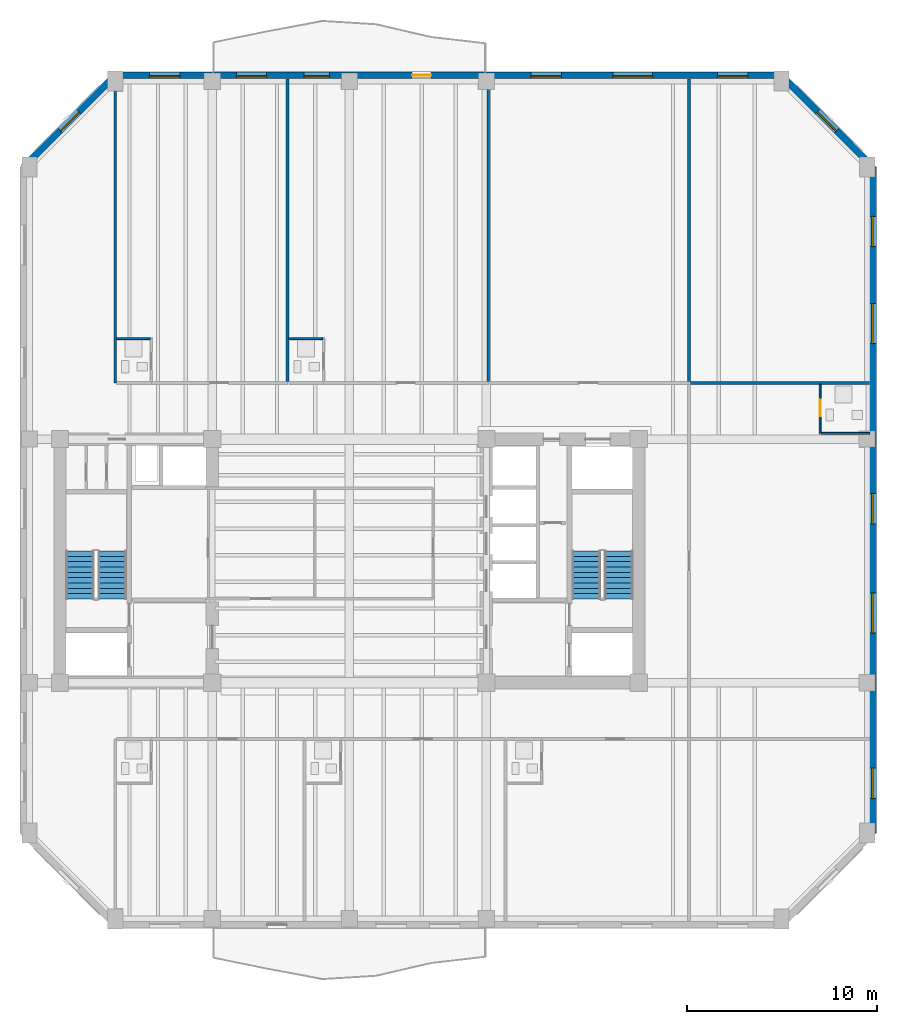
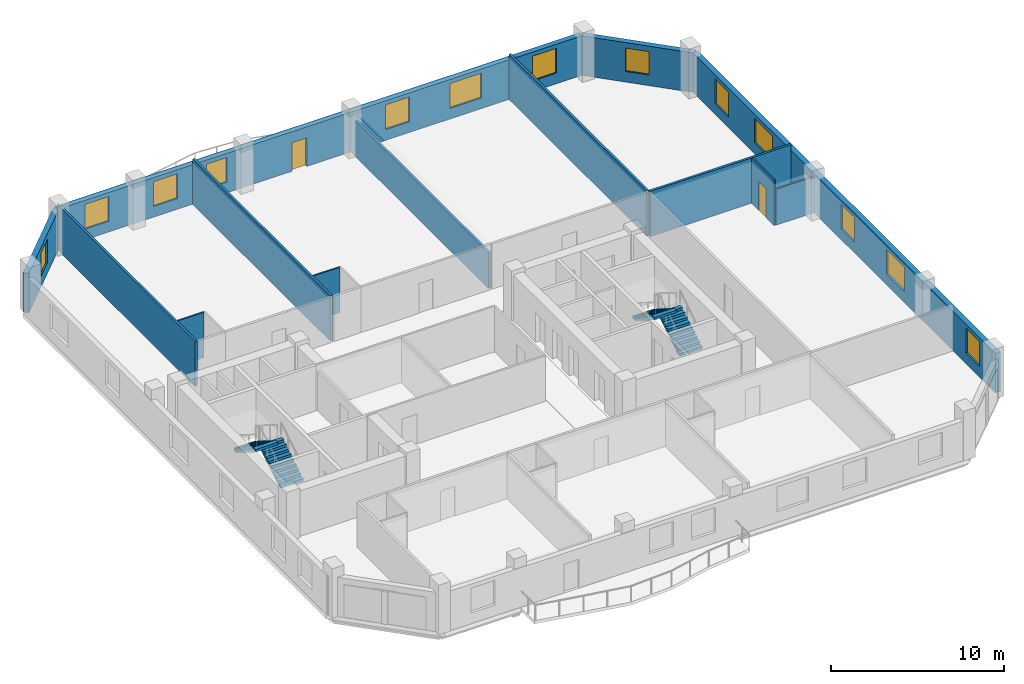
# One storey, part 5 of 9: 13 walls, 13 windows, 4 stair flights, 2 doors, 15 openings, 2 elements without a shape of their own.
"""IFC4 building model written with IfcOpenShell, lengths in metres."""

from ifc_helpers import new_model, si_unit, direction, frame, frame_2d, origin, place, context, subcontext, project, spatial, polyline, rectangle, outline, extrude, material, layer, layer_set, type_object, element, fill, aggregate, save


model = new_model("IFC4")

# Units and contexts
model_context = context("Model", 3, precision=1e-05, world=origin(), true_north=direction((0.0, 1.0)))
body_context = subcontext(model_context, "Body", "Model", "MODEL_VIEW")
ifc_project = project(units=[si_unit("LENGTHUNIT", "METRE"), si_unit("AREAUNIT", "SQUARE_METRE"), si_unit("VOLUMEUNIT", "CUBIC_METRE"), si_unit("PLANEANGLEUNIT", "RADIAN"), si_unit("MASSUNIT", "GRAM", prefix="KILO")], contexts=[model_context])

# Site, building, storey
site_placement = place(None, origin())
site = spatial("IfcSite", under=ifc_project, at=site_placement, CompositionType="ELEMENT")
building_placement = place(site_placement, origin())
building = spatial("IfcBuilding", under=site, at=building_placement, Name="Kranthara Brick Stack", CompositionType="ELEMENT")
storey_placement = place(building_placement, frame((0.0, 0.0, 169.300048828125)))
storey = spatial("IfcBuildingStorey", under=building, at=storey_placement, Name="L43", CompositionType="ELEMENT", Elevation=169.300048828125)

# Wall, opening, window
ifc_material_1 = material(Name="Kiln-fired clay brick masonry M15", Category="masonry")
ifc_layer_1 = layer(ifc_material_1, 0.35009765625)
ifc_layer_set_1 = layer_set([ifc_layer_1], Name="Kiln-fired clay brick masonry M15")
wall_type_1 = type_object("IfcWallType", Name="WL-BRK-SPND-350", PredefinedType="STANDARD", material=ifc_layer_set_1)
wall_1_placement = place(storey_placement, frame((10.89501953125, 47.89990234375, 0.0), z_axis=(0.0, 0.0, 1.0), x_axis=(0.707088817216, 0.7071247447, 0.0)))
wall_1 = element("IfcWall", 1, at=wall_1_placement, inside=storey, type_object=wall_type_1, Name="L43 Exterior Brick Facade Wall NW 1", PredefinedType="STANDARD", context=body_context, shape_type="SweptSolid", body=[
    extrude(rectangle(XDim=6.79541015625, YDim=0.35009765625, at=frame_2d((3.397705078125, 0.0))), origin(), (0.0, 0.0, 1.0), 2.784912109375),
])
opening_1_placement = place(wall_1_placement, frame((2.697998046875, 0.0, 0.75)))
opening_1 = element("IfcOpeningElement", 2, at=opening_1_placement, cuts=wall_1, Name="Opening WN10", PredefinedType="OPENING", context=body_context, shape_type="SweptSolid", body=[
    extrude(rectangle(XDim=1.39990234375, YDim=1.64990234375, at=frame_2d((0.699951171875, 0.824951171875))), frame((0.0, 0.18505859375, 0.0), z_axis=(0.0, -1.0, 0.0), x_axis=(1.0, 0.0, 0.0)), (0.0, 0.0, 1.0), 0.3701171875),
])
ifc_material_2 = material(Name="Double-glazed low-E solar control glass", Category="glass")
window_type_1 = type_object("IfcWindowType", Name="WN-CHM-1400x1750", PartitioningType="SINGLE_PANEL", PredefinedType="WINDOW", material=ifc_material_2)
window_1_placement = place(opening_1_placement, origin())
window_1 = element("IfcWindow", 3, at=window_1_placement, inside=storey, type_object=window_type_1, Name="L43 NW Chamfer Corner Window", OverallHeight=1.64990234375, OverallWidth=1.39990234375, PartitioningType="SINGLE_PANEL", PredefinedType="WINDOW", context=body_context, shape_type="SweptSolid", body=[
    extrude(rectangle(XDim=1.39990234375, YDim=1.64990234375, at=frame_2d((0.699951171875, 0.824951171875))), frame((0.0, -0.010009765625, 0.0), z_axis=(0.0, -1.0, 0.0), x_axis=(1.0, 0.0, 0.0)), (0.0, 0.0, 1.0), 0.06005859375),
])
fill(opening_1, window_1)

# Wall, openings, door, windows
wall_2_placement = place(storey_placement, frame((15.699951171875, 52.705078125, 0.0), z_axis=(0.0, 0.0, 1.0), x_axis=(1.0, 0.0, 0.0)))
wall_2 = element("IfcWall", 4, at=wall_2_placement, inside=storey, type_object=wall_type_1, Name="L43 Exterior Brick Facade Wall NORTH 1", PredefinedType="STANDARD", context=body_context, shape_type="SweptSolid", body=[
    extrude(rectangle(XDim=35.0, YDim=0.35009765625, at=frame_2d((17.5, 0.0))), origin(), (0.0, 0.0, 1.0), 2.784912109375),
])
opening_2_placement = place(wall_2_placement, frame((15.60009765625, 0.0, 0.0)))
opening_2 = element("IfcOpeningElement", 5, at=opening_2_placement, cuts=wall_2, Name="Opening D03", PredefinedType="OPENING", context=body_context, shape_type="SweptSolid", body=[
    extrude(rectangle(XDim=1.0, YDim=2.02001953125, at=frame_2d((0.5, 1.010009765625))), frame((0.0, 0.18505859375, 0.0), z_axis=(0.0, -1.0, 0.0), x_axis=(1.0, 0.0, 0.0)), (0.0, 0.0, 1.0), 0.3701171875),
])
opening_3_placement = place(wall_2_placement, frame((1.800048828125, 0.0, 0.75)))
opening_3 = element("IfcOpeningElement", 6, at=opening_3_placement, cuts=wall_2, Name="Opening WN04", PredefinedType="OPENING", context=body_context, shape_type="SweptSolid", body=[
    extrude(rectangle(XDim=1.60009765625, YDim=1.75, at=frame_2d((0.800048828125, 0.875))), frame((0.0, 0.18505859375, 0.0), z_axis=(0.0, -1.0, 0.0), x_axis=(1.0, 0.0, 0.0)), (0.0, 0.0, 1.0), 0.3701171875),
])
opening_4_placement = place(wall_2_placement, frame((6.360107421875, 0.0, 0.75)))
opening_4 = element("IfcOpeningElement", 7, at=opening_4_placement, cuts=wall_2, Name="Opening WN04", PredefinedType="OPENING", context=body_context, shape_type="SweptSolid", body=[
    extrude(rectangle(XDim=1.60009765625, YDim=1.75, at=frame_2d((0.800048828125, 0.875))), frame((0.0, 0.18505859375, 0.0), z_axis=(0.0, -1.0, 0.0), x_axis=(1.0, 0.0, 0.0)), (0.0, 0.0, 1.0), 0.3701171875),
])
opening_5_placement = place(wall_2_placement, frame((9.909912109375, 0.0, 0.75)))
opening_5 = element("IfcOpeningElement", 8, at=opening_5_placement, cuts=wall_2, Name="Opening WN06", PredefinedType="OPENING", context=body_context, shape_type="SweptSolid", body=[
    extrude(rectangle(XDim=1.35009765625, YDim=1.75, at=frame_2d((0.675048828125, 0.875))), frame((0.0, 0.18505859375, 0.0), z_axis=(0.0, -1.0, 0.0), x_axis=(1.0, 0.0, 0.0)), (0.0, 0.0, 1.0), 0.3701171875),
])
opening_6_placement = place(wall_2_placement, frame((21.839111328125, 0.0, 0.75)))
opening_6 = element("IfcOpeningElement", 9, at=opening_6_placement, cuts=wall_2, Name="Opening WN04", PredefinedType="OPENING", context=body_context, shape_type="SweptSolid", body=[
    extrude(rectangle(XDim=1.60009765625, YDim=1.75, at=frame_2d((0.800048828125, 0.875))), frame((0.0, 0.18505859375, 0.0), z_axis=(0.0, -1.0, 0.0), x_axis=(1.0, 0.0, 0.0)), (0.0, 0.0, 1.0), 0.3701171875),
])
opening_7_placement = place(wall_2_placement, frame((26.136962890625, 0.0, 0.75)))
opening_7 = element("IfcOpeningElement", 10, at=opening_7_placement, cuts=wall_2, Name="Opening WN05", PredefinedType="OPENING", context=body_context, shape_type="SweptSolid", body=[
    extrude(rectangle(XDim=2.10009765625, YDim=1.75, at=frame_2d((1.050048828125, 0.875))), frame((0.0, 0.18505859375, 0.0), z_axis=(0.0, -1.0, 0.0), x_axis=(1.0, 0.0, 0.0)), (0.0, 0.0, 1.0), 0.3701171875),
])
opening_8_placement = place(wall_2_placement, frame((31.636962890625, 0.0, 0.75)))
opening_8 = element("IfcOpeningElement", 11, at=opening_8_placement, cuts=wall_2, Name="Opening WN04", PredefinedType="OPENING", context=body_context, shape_type="SweptSolid", body=[
    extrude(rectangle(XDim=1.60009765625, YDim=1.75, at=frame_2d((0.800048828125, 0.875))), frame((0.0, 0.18505859375, 0.0), z_axis=(0.0, -1.0, 0.0), x_axis=(1.0, 0.0, 0.0)), (0.0, 0.0, 1.0), 0.3701171875),
])
ifc_material_3 = material(Name="Bronze anodised aluminium and laminated glass", Category="aluminium")
door_type_1 = type_object("IfcDoorType", Name="DR-BALC-1000", OperationType="NOTDEFINED", PredefinedType="DOOR", material=ifc_material_3)
door_1_placement = place(opening_2_placement, origin())
door_1 = element("IfcDoor", 12, at=door_1_placement, inside=storey, type_object=door_type_1, Name="L43 North Balcony Terrace Door", OperationType="SINGLE_SWING_RIGHT", OverallHeight=2.02001953125, OverallWidth=1.0, PredefinedType="DOOR", context=body_context, shape_type="SweptSolid", body=[
    extrude(rectangle(XDim=1.0, YDim=2.02001953125, at=frame_2d((0.5, 1.010009765625))), frame((0.0, 0.02490234375, 0.0), z_axis=(0.0, -1.0, 0.0), x_axis=(1.0, 0.0, 0.0)), (0.0, 0.0, 1.0), 0.050048828125),
])
fill(opening_2, door_1)
ifc_material_4 = material(Name="Double-glazed low-E solar control glass", Category="glass")
window_type_2 = type_object("IfcWindowType", Name="WN-HTL-1350x1850", PartitioningType="SINGLE_PANEL", PredefinedType="WINDOW", material=ifc_material_4)
window_2_placement = place(opening_5_placement, origin())
window_2 = element("IfcWindow", 13, at=window_2_placement, inside=storey, type_object=window_type_2, Name="L43 North Deep-Set Brick Window 03", OverallHeight=1.75, OverallWidth=1.35009765625, PartitioningType="SINGLE_PANEL", PredefinedType="WINDOW", context=body_context, shape_type="SweptSolid", body=[
    extrude(rectangle(XDim=1.35009765625, YDim=1.75, at=frame_2d((0.675048828125, 0.875))), frame((0.0, -0.010009765625, 0.0), z_axis=(0.0, -1.0, 0.0), x_axis=(1.0, 0.0, 0.0)), (0.0, 0.0, 1.0), 0.06005859375),
])
fill(opening_5, window_2)
ifc_material_5 = material(Name="Double-glazed low-E solar control glass", Category="glass")
window_type_3 = type_object("IfcWindowType", Name="WN-HTL-1600x1850", PartitioningType="DOUBLE_PANEL_VERTICAL", PredefinedType="WINDOW", material=ifc_material_5)
window_3_placement = place(opening_3_placement, origin())
window_3 = element("IfcWindow", 14, at=window_3_placement, inside=storey, type_object=window_type_3, Name="L43 North Deep-Set Brick Window 01", OverallHeight=1.75, OverallWidth=1.60009765625, PartitioningType="SINGLE_PANEL", PredefinedType="WINDOW", context=body_context, shape_type="SweptSolid", body=[
    extrude(rectangle(XDim=1.60009765625, YDim=1.75, at=frame_2d((0.800048828125, 0.875))), frame((0.0, -0.010009765625, 0.0), z_axis=(0.0, -1.0, 0.0), x_axis=(1.0, 0.0, 0.0)), (0.0, 0.0, 1.0), 0.06005859375),
])
fill(opening_3, window_3)
window_4_placement = place(opening_4_placement, origin())
window_4 = element("IfcWindow", 15, at=window_4_placement, inside=storey, type_object=window_type_3, Name="L43 North Deep-Set Brick Window 02", OverallHeight=1.75, OverallWidth=1.60009765625, PartitioningType="SINGLE_PANEL", PredefinedType="WINDOW", context=body_context, shape_type="SweptSolid", body=[
    extrude(rectangle(XDim=1.60009765625, YDim=1.75, at=frame_2d((0.800048828125, 0.875))), frame((0.0, -0.010009765625, 0.0), z_axis=(0.0, -1.0, 0.0), x_axis=(1.0, 0.0, 0.0)), (0.0, 0.0, 1.0), 0.06005859375),
])
fill(opening_4, window_4)
window_5_placement = place(opening_6_placement, origin())
window_5 = element("IfcWindow", 16, at=window_5_placement, inside=storey, type_object=window_type_3, Name="L43 North Deep-Set Brick Window 04", OverallHeight=1.75, OverallWidth=1.60009765625, PartitioningType="SINGLE_PANEL", PredefinedType="WINDOW", context=body_context, shape_type="SweptSolid", body=[
    extrude(rectangle(XDim=1.60009765625, YDim=1.75, at=frame_2d((0.800048828125, 0.875))), frame((0.0, -0.010009765625, 0.0), z_axis=(0.0, -1.0, 0.0), x_axis=(1.0, 0.0, 0.0)), (0.0, 0.0, 1.0), 0.06005859375),
])
fill(opening_6, window_5)
window_6_placement = place(opening_8_placement, origin())
window_6 = element("IfcWindow", 17, at=window_6_placement, inside=storey, type_object=window_type_3, Name="L43 North Deep-Set Brick Window 06", OverallHeight=1.75, OverallWidth=1.60009765625, PartitioningType="SINGLE_PANEL", PredefinedType="WINDOW", context=body_context, shape_type="SweptSolid", body=[
    extrude(rectangle(XDim=1.60009765625, YDim=1.75, at=frame_2d((0.800048828125, 0.875))), frame((0.0, -0.010009765625, 0.0), z_axis=(0.0, -1.0, 0.0), x_axis=(1.0, 0.0, 0.0)), (0.0, 0.0, 1.0), 0.06005859375),
])
fill(opening_8, window_6)
ifc_material_6 = material(Name="Double-glazed low-E solar control glass", Category="glass")
window_type_4 = type_object("IfcWindowType", Name="WN-HTL-2100x1850", PartitioningType="DOUBLE_PANEL_VERTICAL", PredefinedType="WINDOW", material=ifc_material_6)
window_7_placement = place(opening_7_placement, origin())
window_7 = element("IfcWindow", 18, at=window_7_placement, inside=storey, type_object=window_type_4, Name="L43 North Deep-Set Brick Window 05", OverallHeight=1.75, OverallWidth=2.10009765625, PartitioningType="SINGLE_PANEL", PredefinedType="WINDOW", context=body_context, shape_type="SweptSolid", body=[
    extrude(rectangle(XDim=2.10009765625, YDim=1.75, at=frame_2d((1.050048828125, 0.875))), frame((0.0, -0.010009765625, 0.0), z_axis=(0.0, -1.0, 0.0), x_axis=(1.0, 0.0, 0.0)), (0.0, 0.0, 1.0), 0.06005859375),
])
fill(opening_7, window_7)

# Wall, opening, window
wall_3_placement = place(storey_placement, frame((50.699951171875, 52.705078125, 0.0), z_axis=(0.0, 0.0, 1.0), x_axis=(0.707088817216, -0.7071247447, 0.0)))
wall_3 = element("IfcWall", 19, at=wall_3_placement, inside=storey, type_object=wall_type_1, Name="L43 Exterior Brick Facade Wall NE 1", PredefinedType="STANDARD", context=body_context, shape_type="SweptSolid", body=[
    extrude(rectangle(XDim=6.79541015625, YDim=0.35009765625, at=frame_2d((3.397705078125, 0.0))), origin(), (0.0, 0.0, 1.0), 2.784912109375),
])
opening_9_placement = place(wall_3_placement, frame((2.697998046875, 0.0, 0.75)))
opening_9 = element("IfcOpeningElement", 20, at=opening_9_placement, cuts=wall_3, Name="Opening WN10", PredefinedType="OPENING", context=body_context, shape_type="SweptSolid", body=[
    extrude(rectangle(XDim=1.39990234375, YDim=1.64990234375, at=frame_2d((0.699951171875, 0.824951171875))), frame((0.0, 0.18505859375, 0.0), z_axis=(0.0, -1.0, 0.0), x_axis=(1.0, 0.0, 0.0)), (0.0, 0.0, 1.0), 0.3701171875),
])
window_8_placement = place(opening_9_placement, origin())
window_8 = element("IfcWindow", 21, at=window_8_placement, inside=storey, type_object=window_type_1, Name="L43 NE Chamfer Corner Window", OverallHeight=1.64990234375, OverallWidth=1.39990234375, PartitioningType="SINGLE_PANEL", PredefinedType="WINDOW", context=body_context, shape_type="SweptSolid", body=[
    extrude(rectangle(XDim=1.39990234375, YDim=1.64990234375, at=frame_2d((0.699951171875, 0.824951171875))), frame((0.0, -0.010009765625, 0.0), z_axis=(0.0, -1.0, 0.0), x_axis=(1.0, 0.0, 0.0)), (0.0, 0.0, 1.0), 0.06005859375),
])
fill(opening_9, window_8)

# Wall, openings, windows
wall_4_placement = place(storey_placement, frame((55.5048828125, 47.89990234375, 0.0), z_axis=(0.0, 0.0, 1.0), x_axis=(0.0, -1.0, 0.0)))
wall_4 = element("IfcWall", 22, at=wall_4_placement, inside=storey, type_object=wall_type_1, Name="L43 Exterior Brick Facade Wall EAST 1", PredefinedType="STANDARD", context=body_context, shape_type="SweptSolid", body=[
    extrude(rectangle(XDim=35.0, YDim=0.35009765625, at=frame_2d((17.5, 0.0))), origin(), (0.0, 0.0, 1.0), 2.784912109375),
])
opening_10_placement = place(wall_4_placement, frame((2.594970703125, 0.0, 0.75)))
opening_10 = element("IfcOpeningElement", 23, at=opening_10_placement, cuts=wall_4, Name="Opening WN04", PredefinedType="OPENING", context=body_context, shape_type="SweptSolid", body=[
    extrude(rectangle(XDim=1.60009765625, YDim=1.75, at=frame_2d((0.800048828125, 0.875))), frame((0.0, 0.18505859375, 0.0), z_axis=(0.0, -1.0, 0.0), x_axis=(1.0, 0.0, 0.0)), (0.0, 0.0, 1.0), 0.3701171875),
])
opening_11_placement = place(wall_4_placement, frame((7.180908203125, 0.0, 0.75)))
opening_11 = element("IfcOpeningElement", 24, at=opening_11_placement, cuts=wall_4, Name="Opening WN05", PredefinedType="OPENING", context=body_context, shape_type="SweptSolid", body=[
    extrude(rectangle(XDim=2.10009765625, YDim=1.75, at=frame_2d((1.050048828125, 0.875))), frame((0.0, 0.18505859375, 0.0), z_axis=(0.0, -1.0, 0.0), x_axis=(1.0, 0.0, 0.0)), (0.0, 0.0, 1.0), 0.3701171875),
])
opening_12_placement = place(wall_4_placement, frame((17.152099609375, 0.0, 0.75)))
opening_12 = element("IfcOpeningElement", 25, at=opening_12_placement, cuts=wall_4, Name="Opening WN04", PredefinedType="OPENING", context=body_context, shape_type="SweptSolid", body=[
    extrude(rectangle(XDim=1.60009765625, YDim=1.75, at=frame_2d((0.800048828125, 0.875))), frame((0.0, 0.18505859375, 0.0), z_axis=(0.0, -1.0, 0.0), x_axis=(1.0, 0.0, 0.0)), (0.0, 0.0, 1.0), 0.3701171875),
])
opening_13_placement = place(wall_4_placement, frame((22.39794921875, 0.0, 0.75)))
opening_13 = element("IfcOpeningElement", 26, at=opening_13_placement, cuts=wall_4, Name="Opening WN05", PredefinedType="OPENING", context=body_context, shape_type="SweptSolid", body=[
    extrude(rectangle(XDim=2.10009765625, YDim=1.75, at=frame_2d((1.050048828125, 0.875))), frame((0.0, 0.18505859375, 0.0), z_axis=(0.0, -1.0, 0.0), x_axis=(1.0, 0.0, 0.0)), (0.0, 0.0, 1.0), 0.3701171875),
])
opening_14_placement = place(wall_4_placement, frame((31.587890625, 0.0, 0.75)))
opening_14 = element("IfcOpeningElement", 27, at=opening_14_placement, cuts=wall_4, Name="Opening WN04", PredefinedType="OPENING", context=body_context, shape_type="SweptSolid", body=[
    extrude(rectangle(XDim=1.60009765625, YDim=1.75, at=frame_2d((0.800048828125, 0.875))), frame((0.0, 0.18505859375, 0.0), z_axis=(0.0, -1.0, 0.0), x_axis=(1.0, 0.0, 0.0)), (0.0, 0.0, 1.0), 0.3701171875),
])
window_9_placement = place(opening_10_placement, origin())
window_9 = element("IfcWindow", 28, at=window_9_placement, inside=storey, type_object=window_type_3, Name="L43 East Deep-Set Brick Window 01", OverallHeight=1.75, OverallWidth=1.60009765625, PartitioningType="SINGLE_PANEL", PredefinedType="WINDOW", context=body_context, shape_type="SweptSolid", body=[
    extrude(rectangle(XDim=1.60009765625, YDim=1.75, at=frame_2d((0.800048828125, 0.875))), frame((0.0, -0.010009765625, 0.0), z_axis=(0.0, -1.0, 0.0), x_axis=(1.0, 0.0, 0.0)), (0.0, 0.0, 1.0), 0.06005859375),
])
fill(opening_10, window_9)
window_10_placement = place(opening_12_placement, origin())
window_10 = element("IfcWindow", 29, at=window_10_placement, inside=storey, type_object=window_type_3, Name="L43 East Deep-Set Brick Window 03", OverallHeight=1.75, OverallWidth=1.60009765625, PartitioningType="SINGLE_PANEL", PredefinedType="WINDOW", context=body_context, shape_type="SweptSolid", body=[
    extrude(rectangle(XDim=1.60009765625, YDim=1.75, at=frame_2d((0.800048828125, 0.875))), frame((0.0, -0.010009765625, 0.0), z_axis=(0.0, -1.0, 0.0), x_axis=(1.0, 0.0, 0.0)), (0.0, 0.0, 1.0), 0.06005859375),
])
fill(opening_12, window_10)
window_11_placement = place(opening_14_placement, origin())
window_11 = element("IfcWindow", 30, at=window_11_placement, inside=storey, type_object=window_type_3, Name="L43 East Deep-Set Brick Window 05", OverallHeight=1.75, OverallWidth=1.60009765625, PartitioningType="SINGLE_PANEL", PredefinedType="WINDOW", context=body_context, shape_type="SweptSolid", body=[
    extrude(rectangle(XDim=1.60009765625, YDim=1.75, at=frame_2d((0.800048828125, 0.875))), frame((0.0, -0.010009765625, 0.0), z_axis=(0.0, -1.0, 0.0), x_axis=(1.0, 0.0, 0.0)), (0.0, 0.0, 1.0), 0.06005859375),
])
fill(opening_14, window_11)
window_12_placement = place(opening_11_placement, origin())
window_12 = element("IfcWindow", 31, at=window_12_placement, inside=storey, type_object=window_type_4, Name="L43 East Deep-Set Brick Window 02", OverallHeight=1.75, OverallWidth=2.10009765625, PartitioningType="SINGLE_PANEL", PredefinedType="WINDOW", context=body_context, shape_type="SweptSolid", body=[
    extrude(rectangle(XDim=2.10009765625, YDim=1.75, at=frame_2d((1.050048828125, 0.875))), frame((0.0, -0.010009765625, 0.0), z_axis=(0.0, -1.0, 0.0), x_axis=(1.0, 0.0, 0.0)), (0.0, 0.0, 1.0), 0.06005859375),
])
fill(opening_11, window_12)
window_13_placement = place(opening_13_placement, origin())
window_13 = element("IfcWindow", 32, at=window_13_placement, inside=storey, type_object=window_type_4, Name="L43 East Deep-Set Brick Window 04", OverallHeight=1.75, OverallWidth=2.10009765625, PartitioningType="SINGLE_PANEL", PredefinedType="WINDOW", context=body_context, shape_type="SweptSolid", body=[
    extrude(rectangle(XDim=2.10009765625, YDim=1.75, at=frame_2d((1.050048828125, 0.875))), frame((0.0, -0.010009765625, 0.0), z_axis=(0.0, -1.0, 0.0), x_axis=(1.0, 0.0, 0.0)), (0.0, 0.0, 1.0), 0.06005859375),
])
fill(opening_13, window_13)

# Walls
ifc_material_7 = material(Name="Moisture-resistant wet-room partition", Category="other")
ifc_layer_2 = layer(ifc_material_7, 0.10009765625)
ifc_layer_set_2 = layer_set([ifc_layer_2], Name="Moisture-resistant wet-room partition")
wall_type_2 = type_object("IfcWallType", Name="WL-PART-100", PredefinedType="PARTITIONING", material=ifc_layer_set_2)
wall_5_placement = place(storey_placement, frame((15.780029296875, 38.8798828125, 0.0), z_axis=(0.0, 0.0, 1.0), x_axis=(1.0, 0.0, 0.0)))
element("IfcWall", 33, at=wall_5_placement, inside=storey, type_object=wall_type_2, Name="L43 Interior Partition 029", PredefinedType="PARTITIONING", context=body_context, shape_type="SweptSolid", body=[
    extrude(rectangle(XDim=1.764892578125, YDim=0.10009765625, at=frame_2d((0.88232421875, 0.0))), origin(), (0.0, 0.0, 1.0), 3.199951171875),
])
wall_6_placement = place(storey_placement, frame((24.824951171875, 38.8798828125, 0.0), z_axis=(0.0, 0.0, 1.0), x_axis=(1.0, 0.0, 0.0)))
element("IfcWall", 34, at=wall_6_placement, inside=storey, type_object=wall_type_2, Name="L43 Interior Partition 034", PredefinedType="PARTITIONING", context=body_context, shape_type="SweptSolid", body=[
    extrude(rectangle(XDim=1.76513671875, YDim=0.10009765625, at=frame_2d((0.882568359375, 0.0))), origin(), (0.0, 0.0, 1.0), 3.199951171875),
])

# Wall, opening, door
wall_7_placement = place(storey_placement, frame((52.72998046875, 33.89990234375, 0.0), z_axis=(0.0, 0.0, 1.0), x_axis=(0.0, 1.0, 0.0)))
wall_7 = element("IfcWall", 35, at=wall_7_placement, inside=storey, type_object=wall_type_2, Name="L43 Interior Partition 041", PredefinedType="PARTITIONING", context=body_context, shape_type="SweptSolid", body=[
    extrude(rectangle(XDim=2.570068359375, YDim=0.10009765625, at=frame_2d((1.28515625, 0.0))), origin(), (0.0, 0.0, 1.0), 3.199951171875),
])
opening_15_placement = place(wall_7_placement, frame((0.905029296875, 0.0, 0.0)))
opening_15 = element("IfcOpeningElement", 36, at=opening_15_placement, cuts=wall_7, Name="Opening D17", PredefinedType="OPENING", context=body_context, shape_type="SweptSolid", body=[
    extrude(rectangle(XDim=0.85009765625, YDim=2.050048828125, at=frame_2d((0.425048828125, 1.02490234375))), frame((0.0, 0.06005859375, 0.0), z_axis=(0.0, -1.0, 0.0), x_axis=(1.0, 0.0, 0.0)), (0.0, 0.0, 1.0), 0.1201171875),
])
ifc_material_8 = material(Name="Solid-core hardwood timber leaf in steel frame", Category="steel")
door_type_2 = type_object("IfcDoorType", Name="DR-WET-850", OperationType="NOTDEFINED", PredefinedType="DOOR", material=ifc_material_8)
door_2_placement = place(opening_15_placement, origin())
door_2 = element("IfcDoor", 37, at=door_2_placement, inside=storey, type_object=door_type_2, Name="L43 East Key 7 Bath 18", OperationType="SINGLE_SWING_RIGHT", OverallHeight=2.050048828125, OverallWidth=0.85009765625, PredefinedType="DOOR", context=body_context, shape_type="SweptSolid", body=[
    extrude(rectangle(XDim=0.85009765625, YDim=2.050048828125, at=frame_2d((0.425048828125, 1.02490234375))), frame((0.0, 0.02490234375, 0.0), z_axis=(0.0, -1.0, 0.0), x_axis=(1.0, 0.0, 0.0)), (0.0, 0.0, 1.0), 0.050048828125),
])
fill(opening_15, door_2)

# Walls
wall_8_placement = place(storey_placement, frame((52.784912109375, 33.89990234375, 0.0), z_axis=(0.0, 0.0, 1.0), x_axis=(1.0, 0.0, 0.0)))
element("IfcWall", 38, at=wall_8_placement, inside=storey, type_object=wall_type_2, Name="L43 Interior Partition 042", PredefinedType="PARTITIONING", context=body_context, shape_type="SweptSolid", body=[
    extrude(rectangle(XDim=2.5400390625, YDim=0.10009765625, at=frame_2d((1.27001953125, 0.0))), origin(), (0.0, 0.0, 1.0), 2.534912109375),
])
ifc_material_9 = material(Name="Fire-rated gypsum board partition", Category="other")
ifc_layer_3 = layer(ifc_material_9, 0.14990234375)
ifc_layer_set_3 = layer_set([ifc_layer_3], Name="Fire-rated gypsum board partition")
wall_type_3 = type_object("IfcWallType", Name="WL-PART-150", PredefinedType="PARTITIONING", material=ifc_layer_set_3)
wall_9_placement = place(storey_placement, frame((15.699951171875, 36.550048828125, 0.0), z_axis=(0.0, 0.0, 1.0), x_axis=(0.0, 1.0, 0.0)))
element("IfcWall", 39, at=wall_9_placement, inside=storey, type_object=wall_type_3, Name="L43 Interior Partition 025", PredefinedType="PARTITIONING", context=body_context, shape_type="SweptSolid", body=[
    extrude(rectangle(XDim=15.974853515625, YDim=0.14990234375, at=frame_2d((7.9873046875, 0.0))), origin(), (0.0, 0.0, 1.0), 3.199951171875),
])
wall_10_placement = place(storey_placement, frame((24.7451171875, 36.6298828125, 0.0), z_axis=(0.0, 0.0, 1.0), x_axis=(0.0, 1.0, 0.0)))
element("IfcWall", 40, at=wall_10_placement, inside=storey, type_object=wall_type_3, Name="L43 Interior Partition 030", PredefinedType="PARTITIONING", context=body_context, shape_type="SweptSolid", body=[
    extrude(rectangle(XDim=15.89501953125, YDim=0.14990234375, at=frame_2d((7.947509765625, 0.0))), origin(), (0.0, 0.0, 1.0), 3.199951171875),
])
wall_11_placement = place(storey_placement, frame((35.297119140625, 36.6298828125, 0.0), z_axis=(0.0, 0.0, 1.0), x_axis=(0.0, 1.0, 0.0)))
element("IfcWall", 41, at=wall_11_placement, inside=storey, type_object=wall_type_3, Name="L43 Interior Partition 035", PredefinedType="PARTITIONING", context=body_context, shape_type="SweptSolid", body=[
    extrude(rectangle(XDim=15.89501953125, YDim=0.14990234375, at=frame_2d((7.947509765625, 0.0))), origin(), (0.0, 0.0, 1.0), 2.534912109375),
])
wall_12_placement = place(storey_placement, frame((45.85009765625, 36.6298828125, 0.0), z_axis=(0.0, 0.0, 1.0), x_axis=(0.0, 1.0, 0.0)))
element("IfcWall", 42, at=wall_12_placement, inside=storey, type_object=wall_type_3, Name="L43 Interior Partition 037", PredefinedType="PARTITIONING", context=body_context, shape_type="SweptSolid", body=[
    extrude(rectangle(XDim=15.89501953125, YDim=0.14990234375, at=frame_2d((7.947509765625, 0.0))), origin(), (0.0, 0.0, 1.0), 3.199951171875),
])
wall_13_placement = place(storey_placement, frame((45.929931640625, 36.550048828125, 0.0), z_axis=(0.0, 0.0, 1.0), x_axis=(1.0, 0.0, 0.0)))
element("IfcWall", 43, at=wall_13_placement, inside=storey, type_object=wall_type_3, Name="L43 Interior Partition 039", PredefinedType="PARTITIONING", context=body_context, shape_type="SweptSolid", body=[
    extrude(rectangle(XDim=9.39501953125, YDim=0.14990234375, at=frame_2d((4.697509765625, 0.0))), origin(), (0.0, 0.0, 1.0), 3.199951171875),
])

# Stair, stair flights
ifc_material_10 = material(Name="Concrete C45/55", Category="concrete")
stair_type = type_object("IfcStairType", Name="ST-CORE-20R", PredefinedType="HALF_TURN_STAIR", material=ifc_material_10)
stair_1_placement = place(storey_placement, origin())
stair_1 = element("IfcStair", 44, at=stair_1_placement, inside=storey, type_object=stair_type, Name="L43 West Core Protected Exit Stair ST01", PredefinedType="HALF_TURN_STAIR")
ifc_material_11 = material(Name="Concrete C45/55", Category="concrete")
stair_flight_type = type_object("IfcStairFlightType", Name="SFL-RC-20R", PredefinedType="STRAIGHT", material=ifc_material_11)
stair_flight_1_placement = place(storey_placement, frame((15.550048828125, 25.199951171875, 0.0), z_axis=(0.0, 0.0, 1.0), x_axis=(0.0, 1.0, 0.0)))
stair_flight_1 = element("IfcStairFlight", 45, at=stair_flight_1_placement, type_object=stair_flight_type, Name="ST01 flight 1", NumberOfRisers=10, NumberOfTreads=9, PredefinedType="STRAIGHT", RiserHeight=0.175, TreadLength=0.28, context=body_context, shape_type="SweptSolid", body=[
    extrude(outline(polyline([(0.0, 0.0), (0.0, 0.175048828125), (0.280029296875, 0.175048828125), (0.280029296875, 0.35009765625), (0.56005859375, 0.35009765625), (0.56005859375, 0.52490234375), (0.840087890625, 0.52490234375), (0.840087890625, 0.699951171875), (1.1201171875, 0.699951171875), (1.1201171875, 0.875), (1.39990234375, 0.875), (1.39990234375, 1.050048828125), (1.679931640625, 1.050048828125), (1.679931640625, 1.22509765625), (1.9599609375, 1.22509765625), (1.9599609375, 1.39990234375), (2.239990234375, 1.39990234375), (2.239990234375, 1.574951171875), (2.52001953125, 1.574951171875), (2.52001953125, 1.75), (2.52001953125, 1.398193359375), (0.28271484375, 0.0), (0.0, 0.0)])), frame((0.0, 0.75, 0.0), z_axis=(0.0, -1.0, 0.0), x_axis=(1.0, 0.0, 0.0)), (0.0, 0.0, 1.0), 1.5),
])
stair_flight_2_placement = place(storey_placement, frame((13.85009765625, 27.719970703125, 1.75), z_axis=(0.0, 0.0, 1.0), x_axis=(0.0, -1.0, 0.0)))
stair_flight_2 = element("IfcStairFlight", 46, at=stair_flight_2_placement, type_object=stair_flight_type, Name="ST01 flight 2", NumberOfRisers=10, NumberOfTreads=9, PredefinedType="STRAIGHT", RiserHeight=0.175, TreadLength=0.28, context=body_context, shape_type="SweptSolid", body=[
    extrude(outline(polyline([(0.0, 0.0), (0.0, 0.175048828125), (0.280029296875, 0.175048828125), (0.280029296875, 0.35009765625), (0.56005859375, 0.35009765625), (0.56005859375, 0.52490234375), (0.840087890625, 0.52490234375), (0.840087890625, 0.699951171875), (1.1201171875, 0.699951171875), (1.1201171875, 0.875), (1.39990234375, 0.875), (1.39990234375, 1.050048828125), (1.679931640625, 1.050048828125), (1.679931640625, 1.22509765625), (1.9599609375, 1.22509765625), (1.9599609375, 1.39990234375), (2.239990234375, 1.39990234375), (2.239990234375, 1.574951171875), (2.52001953125, 1.574951171875), (2.52001953125, 1.75), (2.52001953125, 1.398193359375), (0.28271484375, 0.0), (0.0, 0.0)])), frame((0.0, 0.75, 0.0), z_axis=(0.0, -1.0, 0.0), x_axis=(1.0, 0.0, 0.0)), (0.0, 0.0, 1.0), 1.5),
])
aggregate(stair_1, [stair_flight_1, stair_flight_2])

stair_2_placement = place(storey_placement, origin())
stair_2 = element("IfcStair", 47, at=stair_2_placement, inside=storey, type_object=stair_type, Name="L43 East Core Protected Exit Stair ST02", PredefinedType="HALF_TURN_STAIR")
stair_flight_3_placement = place(storey_placement, frame((42.14990234375, 25.199951171875, 0.0), z_axis=(0.0, 0.0, 1.0), x_axis=(0.0, 1.0, 0.0)))
stair_flight_3 = element("IfcStairFlight", 48, at=stair_flight_3_placement, type_object=stair_flight_type, Name="ST02 flight 1", NumberOfRisers=10, NumberOfTreads=9, PredefinedType="STRAIGHT", RiserHeight=0.175, TreadLength=0.28, context=body_context, shape_type="SweptSolid", body=[
    extrude(outline(polyline([(0.0, 0.0), (0.0, 0.175048828125), (0.280029296875, 0.175048828125), (0.280029296875, 0.35009765625), (0.56005859375, 0.35009765625), (0.56005859375, 0.52490234375), (0.840087890625, 0.52490234375), (0.840087890625, 0.699951171875), (1.1201171875, 0.699951171875), (1.1201171875, 0.875), (1.39990234375, 0.875), (1.39990234375, 1.050048828125), (1.679931640625, 1.050048828125), (1.679931640625, 1.22509765625), (1.9599609375, 1.22509765625), (1.9599609375, 1.39990234375), (2.239990234375, 1.39990234375), (2.239990234375, 1.574951171875), (2.52001953125, 1.574951171875), (2.52001953125, 1.75), (2.52001953125, 1.398193359375), (0.28271484375, 0.0), (0.0, 0.0)])), frame((0.0, 0.75, 0.0), z_axis=(0.0, -1.0, 0.0), x_axis=(1.0, 0.0, 0.0)), (0.0, 0.0, 1.0), 1.5),
])
stair_flight_4_placement = place(storey_placement, frame((40.449951171875, 27.719970703125, 1.75), z_axis=(0.0, 0.0, 1.0), x_axis=(0.0, -1.0, 0.0)))
stair_flight_4 = element("IfcStairFlight", 49, at=stair_flight_4_placement, type_object=stair_flight_type, Name="ST02 flight 2", NumberOfRisers=10, NumberOfTreads=9, PredefinedType="STRAIGHT", RiserHeight=0.175, TreadLength=0.28, context=body_context, shape_type="SweptSolid", body=[
    extrude(outline(polyline([(0.0, 0.0), (0.0, 0.175048828125), (0.280029296875, 0.175048828125), (0.280029296875, 0.35009765625), (0.56005859375, 0.35009765625), (0.56005859375, 0.52490234375), (0.840087890625, 0.52490234375), (0.840087890625, 0.699951171875), (1.1201171875, 0.699951171875), (1.1201171875, 0.875), (1.39990234375, 0.875), (1.39990234375, 1.050048828125), (1.679931640625, 1.050048828125), (1.679931640625, 1.22509765625), (1.9599609375, 1.22509765625), (1.9599609375, 1.39990234375), (2.239990234375, 1.39990234375), (2.239990234375, 1.574951171875), (2.52001953125, 1.574951171875), (2.52001953125, 1.75), (2.52001953125, 1.398193359375), (0.28271484375, 0.0), (0.0, 0.0)])), frame((0.0, 0.75, 0.0), z_axis=(0.0, -1.0, 0.0), x_axis=(1.0, 0.0, 0.0)), (0.0, 0.0, 1.0), 1.5),
])
aggregate(stair_2, [stair_flight_3, stair_flight_4])

save(model, "model.ifc")
